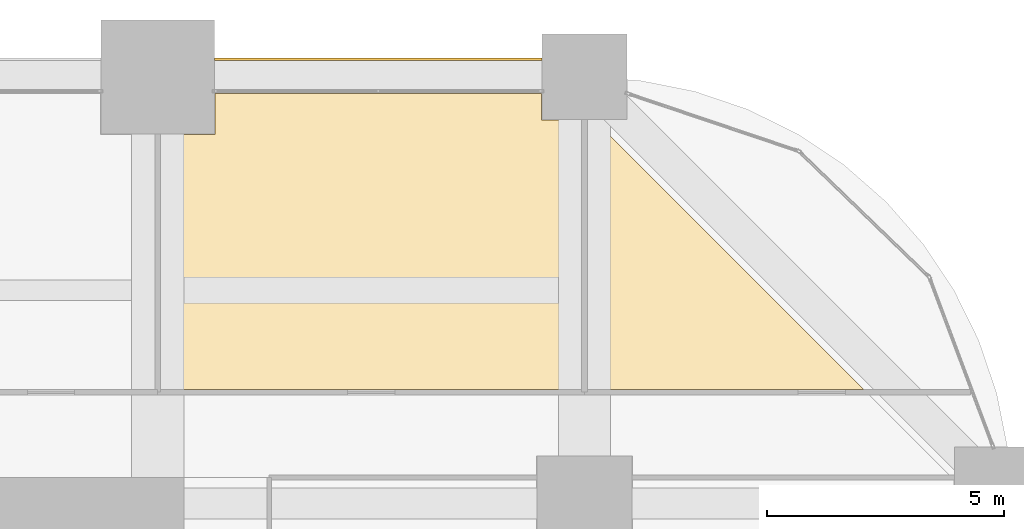
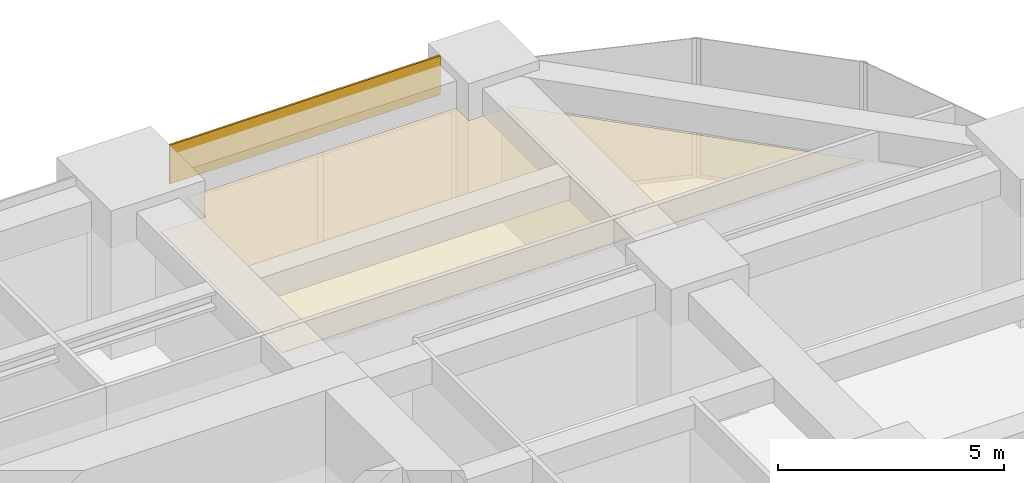
# One storey, part 41 of 41: 3 coverings.
"""IFC4 building model written with IfcOpenShell, lengths in metres."""

import ifcopenshell
import ifcopenshell.guid

model = None  # the IFC model being written
_history = None  # IfcOwnerHistory: only IFC2X3 demands one
_inside = {}  # id of a spatial element -> (the spatial element, [elements in it])
_under = {}  # id of a project, library or spatial element -> (it, [spatial elements below it])
_declared = {}  # id of a project -> (the project, [libraries it declares])
_typed = {}  # id of a type object -> (the type object, [elements of that type])
_made_of = {}  # id of a material, layer set ... -> (it, [elements and type objects made of it])


def new_model(schema):
    """Start an empty IFC model of exactly this schema.

    Asked for "IFC4X3", IfcOpenShell would pick the latest addendum, in which some entities
    have other attributes; the version numbers below select the first issue.
    IFC2X3 requires an IfcOwnerHistory on every rooted entity: one is made here for all.
    """
    global model, _history
    if schema == "IFC4X3":
        model = ifcopenshell.file(schema_version=(4, 3, 0, 0))
    else:
        model = ifcopenshell.file(schema=schema)
    _inside.clear()
    _under.clear()
    _declared.clear()
    _typed.clear()
    _made_of.clear()
    _history = None
    if model.schema == "IFC2X3":
        org = make("IfcOrganization", Name="unknown")
        user = make(
            "IfcPersonAndOrganization",
            ThePerson=make("IfcPerson", FamilyName="unknown"),
            TheOrganization=org,
        )
        app = make(
            "IfcApplication",
            ApplicationDeveloper=org,
            Version="unknown",
            ApplicationFullName="unknown",
            ApplicationIdentifier="unknown",
        )
        _history = make(
            "IfcOwnerHistory",
            OwningUser=user,
            OwningApplication=app,
            ChangeAction="ADDED",
            CreationDate=0,
        )
    return model


def make(cls, **values):
    """One entity of the class cls with the attributes given. An attribute that is None is left unset."""
    return model.create_entity(
        cls, **{name: value for name, value in values.items() if value is not None}
    )


def rooted(cls, **values):
    """An entity with a GlobalId (a new one), such as an element, a storey or a relation."""
    return make(cls, GlobalId=ifcopenshell.guid.new(), OwnerHistory=_history, **values)


def si_unit(unit_type, name, prefix=None):
    """IfcSIUnit, for example si_unit("LENGTHUNIT", "METRE", prefix="MILLI")."""
    return make("IfcSIUnit", UnitType=unit_type, Prefix=prefix, Name=name)


def assignment(units):
    """IfcUnitAssignment: the units of a project."""
    return None if units is None else make("IfcUnitAssignment", Units=units)


def point(xyz):
    """IfcCartesianPoint."""
    return None if xyz is None else make("IfcCartesianPoint", Coordinates=xyz)


def direction(xyz):
    """IfcDirection."""
    return None if xyz is None else make("IfcDirection", DirectionRatios=xyz)


def frame(location, z_axis=None, x_axis=None):
    """IfcAxis2Placement3D, a coordinate frame: its origin and axes. An axis left out is left unset."""
    return make(
        "IfcAxis2Placement3D",
        Location=point(location),
        Axis=direction(z_axis),
        RefDirection=direction(x_axis),
    )


def frame_2d(location, x_axis=None):
    """IfcAxis2Placement2D, a coordinate frame in the plane: its origin and x axis."""
    return make(
        "IfcAxis2Placement2D", Location=point(location), RefDirection=direction(x_axis)
    )


def origin():
    """The frame at (0, 0, 0) with its axes left unset."""
    return frame((0.0, 0.0, 0.0))


def place(relative_to, where):
    """IfcLocalPlacement: puts the frame where relative to a parent placement (None: the world)."""
    return make(
        "IfcLocalPlacement", PlacementRelTo=relative_to, RelativePlacement=where
    )


def context(
    kind, dimensions, precision=None, world=None, true_north=None, identifier=None
):
    """IfcGeometricRepresentationContext, for example the 3D "Model" context."""
    return make(
        "IfcGeometricRepresentationContext",
        ContextIdentifier=identifier,
        ContextType=kind,
        CoordinateSpaceDimension=dimensions,
        Precision=precision,
        WorldCoordinateSystem=world,
        TrueNorth=true_north,
    )


def subcontext(parent, identifier, kind, view, scale=None):
    """IfcGeometricRepresentationSubContext, for example "Body" below "Model"."""
    return make(
        "IfcGeometricRepresentationSubContext",
        ContextIdentifier=identifier,
        ContextType=kind,
        ParentContext=parent,
        TargetScale=scale,
        TargetView=view,
    )


def project(units=None, contexts=None):
    """IfcProject with its units and contexts."""
    return rooted(
        "IfcProject",
        Name="project",
        RepresentationContexts=contexts,
        UnitsInContext=assignment(units),
    )


def spatial(cls, under=None, at=None, **own):
    """A site, building, storey or space (cls), placed at a placement, below another one or the project."""
    s = rooted(cls, ObjectPlacement=at, **own)
    if under is not None:
        _under.setdefault(under.id(), (under, []))[1].append(s)
    return s


def polyline(points):
    """IfcPolyline through the points."""
    return make("IfcPolyline", Points=[point(p) for p in points])


def profile(cls, at=None, kind="AREA", **sizes):
    """A parametric profile (cls). Its sizes go by their IFC names, for example OverallWidth=200.0."""
    return make(cls, ProfileType=kind, Position=at, **sizes)


def rectangle(**sizes):
    """IfcRectangleProfileDef."""
    return profile("IfcRectangleProfileDef", **sizes)


def outline(outer, holes=None, kind="AREA"):
    """IfcArbitraryClosedProfileDef: a profile drawn as a closed curve; with holes, ...WithVoids."""
    if holes is None:
        return make("IfcArbitraryClosedProfileDef", ProfileType=kind, OuterCurve=outer)
    return make(
        "IfcArbitraryProfileDefWithVoids",
        ProfileType=kind,
        OuterCurve=outer,
        InnerCurves=holes,
    )


def extrude(swept, where, along, depth):
    """IfcExtrudedAreaSolid: the profile swept, set in the frame where, extruded along a direction by depth."""
    return make(
        "IfcExtrudedAreaSolid",
        SweptArea=swept,
        Position=where,
        ExtrudedDirection=direction(along),
        Depth=depth,
    )


def shape(context_of_items, identifier, shape_type, items):
    """IfcShapeRepresentation: the items that make up one representation, for example the "Body"."""
    return make(
        "IfcShapeRepresentation",
        ContextOfItems=context_of_items,
        RepresentationIdentifier=identifier,
        RepresentationType=shape_type,
        Items=items,
    )


def material(Name=None, Category=None):
    """IfcMaterial."""
    return make("IfcMaterial", Name=Name, Category=Category)


def layer(
    of_material, thickness, ventilated=None, Name=None, Category=None, Priority=None
):
    """IfcMaterialLayer: one layer of a wall or slab, of a material (None: an air gap)."""
    return make(
        "IfcMaterialLayer",
        Material=of_material,
        LayerThickness=thickness,
        IsVentilated=ventilated,
        Name=Name,
        Category=Category,
        Priority=Priority,
    )


def layer_set(layers, Name=None):
    """IfcMaterialLayerSet."""
    return make("IfcMaterialLayerSet", MaterialLayers=layers, LayerSetName=Name)


def made_of(thing, what):
    """Note that an element or type object is made of a material, layer set ...; save() writes the relation."""
    if what is not None:
        _made_of.setdefault(what.id(), (what, []))[1].append(thing)
    return thing


def type_object(cls, material=None, **own):
    """A type object (cls), such as IfcWallType, which elements share."""
    return made_of(rooted(cls, **own), material)


def element(
    cls,
    number,
    at=None,
    inside=None,
    cuts=None,
    type_object=None,
    material=None,
    context=None,
    identifier="Body",
    shape_type=None,
    held_by="IfcProductDefinitionShape",
    body=None,
    shapes=None,
    **own,
):
    """One element of the class cls, such as IfcWall. Its Tag is "e" and its number.

    at: its placement. inside: the storey or other place that contains it. cuts: it is an
    opening in that element (IfcRelVoidsElement). A single representation is given by context,
    identifier, shape_type and body (its items); several are given by shapes. held_by: the class
    of the entity that holds the representations. save() writes the other relations.
    """
    e = rooted(cls, Tag="e%d" % number, ObjectPlacement=at, **own)
    if body is not None:
        shapes = [shape(context, identifier, shape_type, body)]
    if shapes is not None:
        e.Representation = make(held_by, Representations=shapes)
    if inside is not None:
        _inside.setdefault(inside.id(), (inside, []))[1].append(e)
    if cuts is not None:
        rooted(
            "IfcRelVoidsElement", RelatingBuildingElement=cuts, RelatedOpeningElement=e
        )
    if type_object is not None:
        _typed.setdefault(type_object.id(), (type_object, []))[1].append(e)
    return made_of(e, material)


def aggregate(whole, parts):
    """IfcRelAggregates: a whole, such as a stair, and the parts it consists of."""
    return rooted("IfcRelAggregates", RelatingObject=whole, RelatedObjects=parts)


def save(model, path):
    """Write the relations noted so far, then the file.

    IfcRelAggregates (storeys below a building ...), IfcRelContainedInSpatialStructure (elements
    in a storey), IfcRelDefinesByType, IfcRelAssociatesMaterial and IfcRelDeclares: one each for
    every whole, place, type object, material and project.
    """
    for whole, parts in _under.values():
        aggregate(whole, parts)
    for where, things in _inside.values():
        rooted(
            "IfcRelContainedInSpatialStructure",
            RelatedElements=things,
            RelatingStructure=where,
        )
    for kind, things in _typed.values():
        rooted("IfcRelDefinesByType", RelatedObjects=things, RelatingType=kind)
    for what, things in _made_of.values():
        rooted("IfcRelAssociatesMaterial", RelatedObjects=things, RelatingMaterial=what)
    for by, libraries in _declared.values():
        rooted("IfcRelDeclares", RelatingContext=by, RelatedDefinitions=libraries)
    model.write(path)


model = new_model("IFC4")

# Units and contexts
model_context = context("Model", 3, precision=1e-05, world=origin(), true_north=direction((0.0, 1.0)))
body_context = subcontext(model_context, "Body", "Model", "MODEL_VIEW")
ifc_project = project(units=[si_unit("LENGTHUNIT", "METRE"), si_unit("AREAUNIT", "SQUARE_METRE"), si_unit("VOLUMEUNIT", "CUBIC_METRE"), si_unit("PLANEANGLEUNIT", "RADIAN"), si_unit("MASSUNIT", "GRAM", prefix="KILO")], contexts=[model_context])

# Site, building, storey
site_placement = place(None, origin())
site = spatial("IfcSite", under=ifc_project, at=site_placement, CompositionType="ELEMENT")
building_placement = place(site_placement, origin())
building = spatial("IfcBuilding", under=site, at=building_placement, Name="Zorevar Civic Tower", CompositionType="ELEMENT")
storey_placement = place(building_placement, frame((0.0, 0.0, 105.0)))
storey = spatial("IfcBuildingStorey", under=building, at=storey_placement, Name="L25", CompositionType="ELEMENT", Elevation=105.0)

# Coverings
ifc_material_1 = material(Name="Black anodised aluminium spandrel panel", Category="aluminium")
ifc_layer_1 = layer(ifc_material_1, 0.050048828125)
ifc_layer_set_1 = layer_set([ifc_layer_1], Name="Spandrel cladding SP1")
covering_type_1 = type_object("IfcCoveringType", Name="Spandrel cladding SP1", PredefinedType="CLADDING", material=ifc_layer_set_1)
covering_1_placement = place(storey_placement, frame((46.199951171875, 45.375, 2.949951171875), z_axis=(0.0, 0.0, 1.0), x_axis=(1.0, 0.0, 0.0)))
element("IfcCovering", 1, at=covering_1_placement, inside=storey, type_object=covering_type_1, Name="Spandrel cladding L26", PredefinedType="CLADDING", context=body_context, shape_type="SweptSolid", body=[
    extrude(rectangle(XDim=6.900146484375, YDim=0.050048828125, at=frame_2d((3.4501953125, 0.0))), origin(), (0.0, 0.0, 1.0), 1.050048828125),
])
ifc_material_2 = material(Name="Mineral fibre tiles on a concealed grid")
ifc_layer_2 = layer(ifc_material_2, 0.02001953125)
ifc_layer_set_2 = layer_set([ifc_layer_2], Name="Suspended ceiling SC1")
covering_type_2 = type_object("IfcCoveringType", Name="Suspended ceiling SC1", PredefinedType="CEILING", material=ifc_layer_set_2)
covering_2_placement = place(storey_placement, frame((0.0, 0.0, 3.0)))
element("IfcCovering", 2, at=covering_2_placement, inside=storey, type_object=covering_type_2, Name="Ceiling L25-22", PredefinedType="CEILING", context=body_context, shape_type="SweptSolid", body=[
    extrude(outline(polyline([(46.2099609375, 43.7900390625), (46.2099609375, 44.64990234375), (53.090087890625, 44.64990234375), (53.090087890625, 44.090087890625), (53.93994140625, 44.090087890625), (53.93994140625, 38.409912109375), (45.06005859375, 38.409912109375), (45.06005859375, 43.7900390625), (46.2099609375, 43.7900390625)])), origin(), (0.0, 0.0, 1.0), 0.02001953125),
])
covering_3_placement = place(storey_placement, frame((0.0, 0.0, 3.0)))
element("IfcCovering", 3, at=covering_3_placement, inside=storey, type_object=covering_type_2, Name="Ceiling L25-36", PredefinedType="CEILING", context=body_context, shape_type="SweptSolid", body=[
    extrude(outline(polyline([(54.06005859375, 38.409912109375), (54.06005859375, 44.090087890625), (54.202880859375, 44.090087890625), (59.8828125, 38.409912109375), (54.06005859375, 38.409912109375)])), origin(), (0.0, 0.0, 1.0), 0.02001953125),
])

save(model, "model.ifc")
